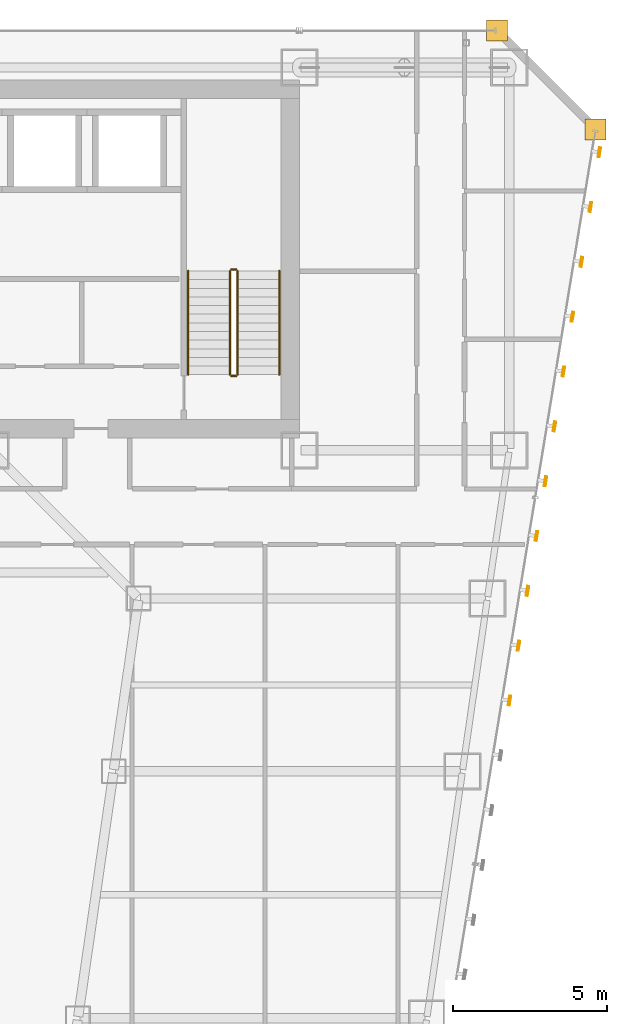
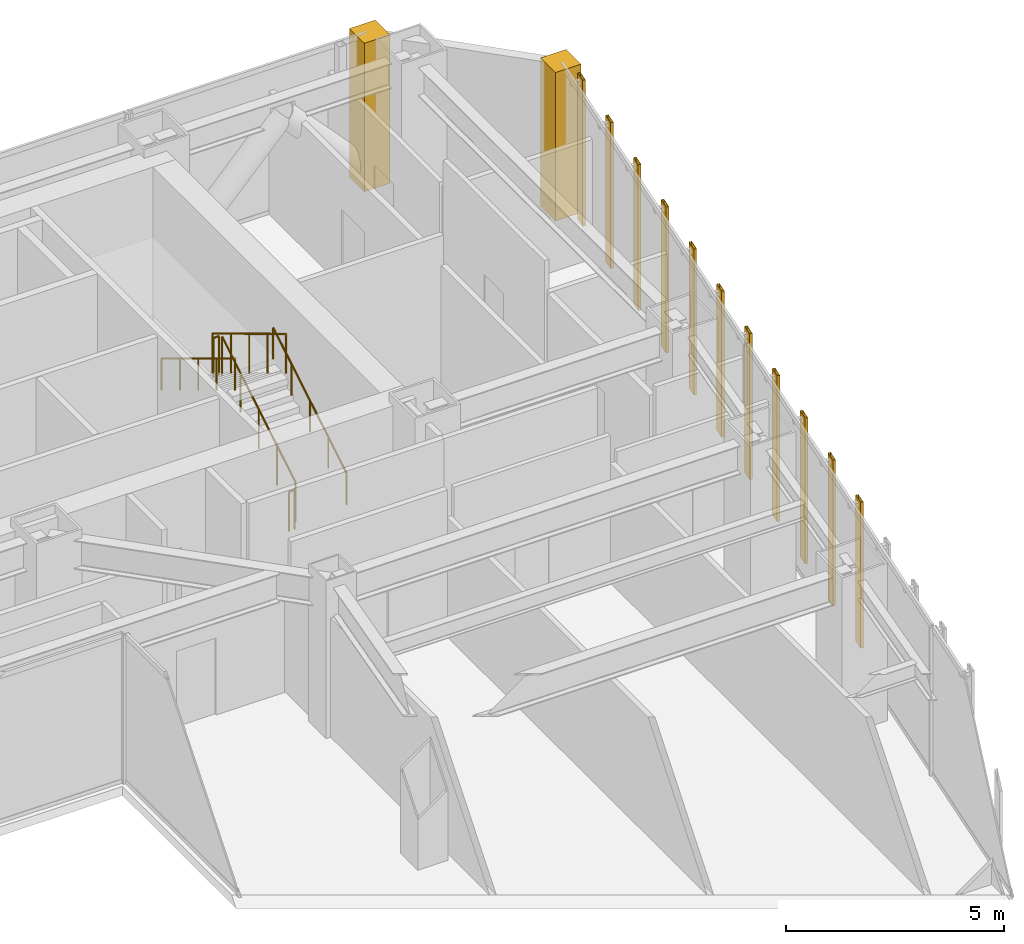
# One storey, part 47 of 47: 11 shading devices, 6 railings, 2 coverings.
"""IFC4 building model written with IfcOpenShell, lengths in metres."""

from ifc_helpers import new_model, si_unit, direction, frame, origin, origin_2d, place, context, subcontext, project, spatial, polyline, hollow_rectangle, circle, outline, extrude, material, layer, layer_set, material_profile, profile_set, type_object, element, save


model = new_model("IFC4")

# Units and contexts
model_context = context("Model", 3, precision=1e-05, world=origin(), true_north=direction((0.0, 1.0)))
body_context = subcontext(model_context, "Body", "Model", "MODEL_VIEW")
ifc_project = project(units=[si_unit("LENGTHUNIT", "METRE"), si_unit("AREAUNIT", "SQUARE_METRE"), si_unit("VOLUMEUNIT", "CUBIC_METRE"), si_unit("PLANEANGLEUNIT", "RADIAN"), si_unit("MASSUNIT", "GRAM", prefix="KILO")], contexts=[model_context])

# Site, building, storey
site_placement = place(None, origin())
site = spatial("IfcSite", under=ifc_project, at=site_placement, CompositionType="ELEMENT")
building_placement = place(site_placement, origin())
building = spatial("IfcBuilding", under=site, at=building_placement, Name="Saevonmaru Cultural Tower", CompositionType="ELEMENT")
storey_placement = place(building_placement, frame((0.0, 0.0, 64.800048828125)))
storey = spatial("IfcBuildingStorey", under=building, at=storey_placement, Name="L13", CompositionType="ELEMENT", Elevation=64.800048828125)

# Coverings
ifc_material_1 = material(Name="Satin Bronze Anodised Aluminium", Category="aluminium")
ifc_layer = layer(ifc_material_1, 0.679931640625, Name="Satin Bronze Anodised Aluminium")
ifc_layer_set = layer_set([ifc_layer], Name="Satin Bronze Anodised Aluminium")
covering_type = type_object("IfcCoveringType", Name="CV-CORNER-CLAD", PredefinedType="CLADDING", material=ifc_layer_set)
covering_1_placement = place(storey_placement, origin())
element("IfcCovering", 1, at=covering_1_placement, inside=storey, type_object=covering_type, Name="L13 Tower Bronze Corner Cladding Pier 9", PredefinedType="CLADDING", context=body_context, shape_type="SweptSolid", body=[
    extrude(outline(polyline([(55.659912109375, 52.4599609375), (56.340087890625, 52.4599609375), (56.340087890625, 53.139892578125), (55.659912109375, 53.139892578125), (55.659912109375, 52.4599609375)])), origin(), (0.0, 0.0, 1.0), 4.14990234375),
])
covering_2_placement = place(storey_placement, origin())
element("IfcCovering", 2, at=covering_2_placement, inside=storey, type_object=covering_type, Name="L13 Tower Bronze Corner Cladding Pier 10", PredefinedType="CLADDING", context=body_context, shape_type="SweptSolid", body=[
    extrude(outline(polyline([(52.4599609375, 55.659912109375), (53.139892578125, 55.659912109375), (53.139892578125, 56.340087890625), (52.4599609375, 56.340087890625), (52.4599609375, 55.659912109375)])), origin(), (0.0, 0.0, 1.0), 4.14990234375),
])

# Railings
ifc_material_2 = material(Name="Architectural Painted Steel", Category="steel")
railing_type_1 = type_object("IfcRailingType", Name="RL-STAIR-GUARD", PredefinedType="GUARDRAIL", material=ifc_material_2)
railing_1_placement = place(storey_placement, frame((44.39990234375, 44.85009765625, 0.169189453125)))
element("IfcRailing", 3, at=railing_1_placement, inside=storey, type_object=railing_type_1, Name="L13 ST-2 stair guard 1", PredefinedType="GUARDRAIL", context=body_context, shape_type="SweptSolid", body=[
    extrude(circle(Radius=0.02392578125, at=origin_2d()), frame((0.0, 0.0, 1.09619140625), z_axis=(0.0, 0.855820338506, 0.51727318527), x_axis=(-1.0, 0.0, 0.0)), (0.0, 0.0, 1.0), 3.92578125),
    extrude(circle(Radius=0.02099609375, at=origin_2d()), origin(), (0.0, 0.0, 1.0), 1.072021484375),
    extrude(circle(Radius=0.02099609375, at=origin_2d()), frame((0.0, 0.83984375, 0.5078125)), (0.0, 0.0, 1.0), 1.072021484375),
    extrude(circle(Radius=0.02099609375, at=origin_2d()), frame((0.0, 1.679931640625, 1.015380859375)), (0.0, 0.0, 1.0), 1.072021484375),
    extrude(circle(Radius=0.02099609375, at=origin_2d()), frame((0.0, 2.52001953125, 1.52294921875)), (0.0, 0.0, 1.0), 1.072021484375),
    extrude(circle(Radius=0.02099609375, at=origin_2d()), frame((0.0, 3.35986328125, 2.03076171875)), (0.0, 0.0, 1.0), 1.072021484375),
])
railing_2_placement = place(storey_placement, frame((44.35009765625, 48.260009765625, 2.199951171875)))
element("IfcRailing", 4, at=railing_2_placement, inside=storey, type_object=railing_type_1, Name="L13 ST-2 stair guard 2", PredefinedType="GUARDRAIL", context=body_context, shape_type="SweptSolid", body=[
    extrude(circle(Radius=0.02392578125, at=origin_2d()), frame((0.0, 0.0, 1.09619140625), z_axis=(-1.0, 0.0, 0.0), x_axis=(0.0, -1.0, 0.0)), (0.0, 0.0, 1.0), 0.150146484375),
    extrude(circle(Radius=0.02099609375, at=origin_2d()), origin(), (0.0, 0.0, 1.0), 1.072021484375),
    extrude(circle(Radius=0.02099609375, at=origin_2d()), frame((-0.150146484375, 0.0, 0.0)), (0.0, 0.0, 1.0), 1.072021484375),
])
railing_3_placement = place(storey_placement, frame((44.14990234375, 48.2099609375, 2.369140625)))
element("IfcRailing", 5, at=railing_3_placement, inside=storey, type_object=railing_type_1, Name="L13 ST-2 stair guard 3", PredefinedType="GUARDRAIL", context=body_context, shape_type="SweptSolid", body=[
    extrude(circle(Radius=0.02392578125, at=origin_2d()), frame((0.0, 0.0, 1.09619140625), z_axis=(0.0, -0.855820338506, 0.51727318527), x_axis=(1.0, 0.0, 0.0)), (0.0, 0.0, 1.0), 3.92578125),
    extrude(circle(Radius=0.02099609375, at=origin_2d()), origin(), (0.0, 0.0, 1.0), 1.072021484375),
    extrude(circle(Radius=0.02099609375, at=origin_2d()), frame((0.0, -0.83984375, 0.5078125)), (0.0, 0.0, 1.0), 1.072021484375),
    extrude(circle(Radius=0.02099609375, at=origin_2d()), frame((0.0, -1.679931640625, 1.015380859375)), (0.0, 0.0, 1.0), 1.072021484375),
    extrude(circle(Radius=0.02099609375, at=origin_2d()), frame((0.0, -2.52001953125, 1.52294921875)), (0.0, 0.0, 1.0), 1.072021484375),
    extrude(circle(Radius=0.02099609375, at=origin_2d()), frame((0.0, -3.35986328125, 2.03076171875)), (0.0, 0.0, 1.0), 1.072021484375),
])
railing_4_placement = place(storey_placement, frame((44.35009765625, 44.800048828125, 0.0)))
element("IfcRailing", 6, at=railing_4_placement, inside=storey, type_object=railing_type_1, Name="L13 ST-2 stair guard 4", PredefinedType="GUARDRAIL", context=body_context, shape_type="SweptSolid", body=[
    extrude(circle(Radius=0.02392578125, at=origin_2d()), frame((0.0, 0.0, 1.09619140625), z_axis=(-1.0, 0.0, 0.0), x_axis=(0.0, -1.0, 0.0)), (0.0, 0.0, 1.0), 0.150146484375),
    extrude(circle(Radius=0.02099609375, at=origin_2d()), origin(), (0.0, 0.0, 1.0), 1.072021484375),
    extrude(circle(Radius=0.02099609375, at=origin_2d()), frame((-0.150146484375, 0.0, 0.0)), (0.0, 0.0, 1.0), 1.072021484375),
])
railing_type_2 = type_object("IfcRailingType", Name="RL-STAIR-HANDRAIL", PredefinedType="HANDRAIL", material=ifc_material_1)
railing_5_placement = place(storey_placement, frame((45.75, 44.85009765625, 0.169189453125)))
element("IfcRailing", 7, at=railing_5_placement, inside=storey, type_object=railing_type_2, Name="L13 ST-2 stair handrail 1", PredefinedType="HANDRAIL", context=body_context, shape_type="SweptSolid", body=[
    extrude(circle(Radius=0.02392578125, at=origin_2d()), frame((0.0, 0.0, 0.8759765625), z_axis=(0.0, 0.855820338506, 0.51727318527), x_axis=(-1.0, 0.0, 0.0)), (0.0, 0.0, 1.0), 3.92578125),
    extrude(circle(Radius=0.02099609375, at=origin_2d()), origin(), (0.0, 0.0, 1.0), 0.851806640625),
    extrude(circle(Radius=0.02099609375, at=origin_2d()), frame((0.0, 0.83984375, 0.5078125)), (0.0, 0.0, 1.0), 0.851806640625),
    extrude(circle(Radius=0.02099609375, at=origin_2d()), frame((0.0, 1.679931640625, 1.015380859375)), (0.0, 0.0, 1.0), 0.851806640625),
    extrude(circle(Radius=0.02099609375, at=origin_2d()), frame((0.0, 2.52001953125, 1.52294921875)), (0.0, 0.0, 1.0), 0.851806640625),
    extrude(circle(Radius=0.02099609375, at=origin_2d()), frame((0.0, 3.35986328125, 2.03076171875)), (0.0, 0.0, 1.0), 0.851806640625),
])
railing_6_placement = place(storey_placement, frame((42.800048828125, 48.2099609375, 2.369140625)))
element("IfcRailing", 8, at=railing_6_placement, inside=storey, type_object=railing_type_2, Name="L13 ST-2 stair handrail 2", PredefinedType="HANDRAIL", context=body_context, shape_type="SweptSolid", body=[
    extrude(circle(Radius=0.02392578125, at=origin_2d()), frame((0.0, 0.0, 0.8759765625), z_axis=(0.0, -0.855820338506, 0.51727318527), x_axis=(1.0, 0.0, 0.0)), (0.0, 0.0, 1.0), 3.92578125),
    extrude(circle(Radius=0.02099609375, at=origin_2d()), origin(), (0.0, 0.0, 1.0), 0.851806640625),
    extrude(circle(Radius=0.02099609375, at=origin_2d()), frame((0.0, -0.83984375, 0.5078125)), (0.0, 0.0, 1.0), 0.851806640625),
    extrude(circle(Radius=0.02099609375, at=origin_2d()), frame((0.0, -1.679931640625, 1.015380859375)), (0.0, 0.0, 1.0), 0.851806640625),
    extrude(circle(Radius=0.02099609375, at=origin_2d()), frame((0.0, -2.52001953125, 1.52294921875)), (0.0, 0.0, 1.0), 0.851806640625),
    extrude(circle(Radius=0.02099609375, at=origin_2d()), frame((0.0, -3.35986328125, 2.03076171875)), (0.0, 0.0, 1.0), 0.851806640625),
])

# Shading devices
ifc_material_profile = material_profile(ifc_material_1, hollow_rectangle(XDim=0.070068359375, YDim=0.320068359375, WallThickness=0.0048828125, at=origin_2d()), Name="FIN-320x70")
ifc_profile_set = profile_set([ifc_material_profile], Name="Satin Bronze Anodised Aluminium")
shading_device_type = type_object("IfcShadingDeviceType", Name="SHD-FIN-320", PredefinedType="JALOUSIE", material=ifc_profile_set)
for number, where, z_axis, x_axis, name in (
    (9, (53.210205078125, 34.2900390625, 0.050048828125), (0.0, 0.0, 1.0), (0.986827496189, -0.161776057456, 0.0), "L13 Art Deco Sawtooth Bronze Fin E8-17"),
    (10, (53.501220703125, 36.06640625, 0.050048828125), (0.0, 0.0, 1.0), (0.986827496189, -0.161776057456, 0.0), "L13 Art Deco Sawtooth Bronze Fin E8-18"),
    (11, (53.792236328125, 37.8427734375, 0.050048828125), (0.0, 0.0, 1.0), (0.986827496189, -0.161776057456, 0.0), "L13 Art Deco Sawtooth Bronze Fin E8-19"),
    (12, (54.083251953125, 39.618896484375, 0.050048828125), (0.0, 0.0, 1.0), (0.986827496189, -0.161776057456, 0.0), "L13 Art Deco Sawtooth Bronze Fin E8-20"),
    (13, (54.37451171875, 41.3955078125, 0.050048828125), (0.0, 0.0, 1.0), (0.986827496189, -0.161776057456, 0.0), "L13 Art Deco Sawtooth Bronze Fin E8-21"),
    (14, (54.665283203125, 43.171630859375, 0.050048828125), (0.0, 0.0, 1.0), (0.986827496189, -0.161776057456, 0.0), "L13 Art Deco Sawtooth Bronze Fin E8-22"),
    (15, (54.95654296875, 44.947998046875, 0.050048828125), (0.0, 0.0, 1.0), (0.986827496189, -0.161776057456, 0.0), "L13 Art Deco Sawtooth Bronze Fin E8-23"),
    (16, (55.24755859375, 46.724365234375, 0.050048828125), (0.0, 0.0, 1.0), (0.986827496189, -0.161776057456, 0.0), "L13 Art Deco Sawtooth Bronze Fin E8-24"),
    (17, (55.538818359375, 48.50048828125, 0.050048828125), (0.0, 0.0, 1.0), (0.986827496189, -0.161776057456, 0.0), "L13 Art Deco Sawtooth Bronze Fin E8-25"),
    (18, (55.829833984375, 50.27685546875, 0.050048828125), (0.0, 0.0, 1.0), (0.986827496189, -0.161776057456, 0.0), "L13 Art Deco Sawtooth Bronze Fin E8-26"),
    (19, (56.120849609375, 52.05322265625, 0.050048828125), (0.0, 0.0, 1.0), (0.986827496189, -0.161776057456, 0.0), "L13 Art Deco Sawtooth Bronze Fin E8-27"),
):
    element("IfcShadingDevice", number, at=place(storey_placement, frame(where, z_axis=z_axis, x_axis=x_axis)), inside=storey, type_object=shading_device_type, Name=name, PredefinedType="JALOUSIE", context=body_context, shape_type="SweptSolid", body=[
        extrude(hollow_rectangle(XDim=0.070068359375, YDim=0.320068359375, WallThickness=0.0048828125, at=origin_2d()), origin(), (0.0, 0.0, 1.0), 4.079833984375),
    ])

save(model, "model.ifc")
